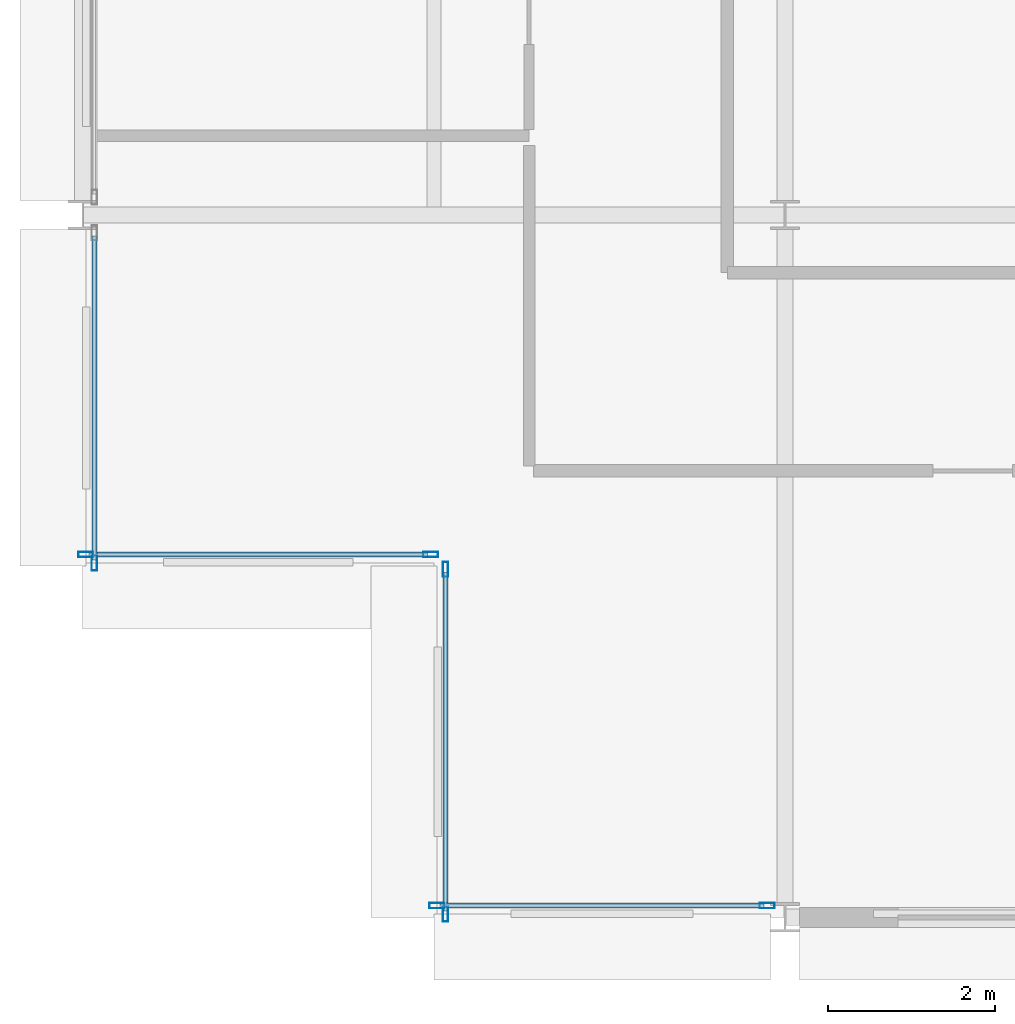
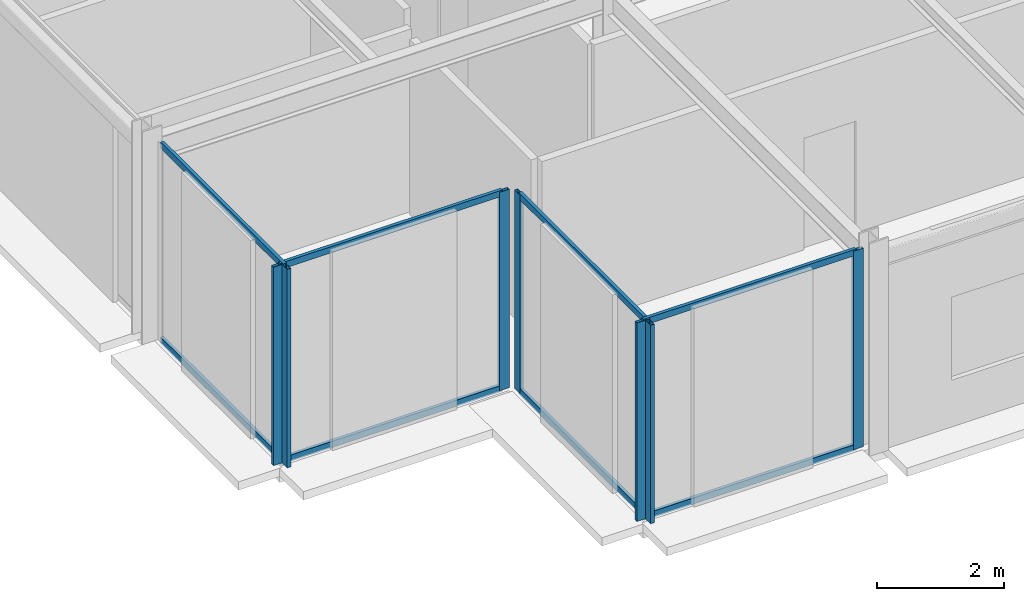
# One storey, part 2 of 26: 15 members, 4 elements without a shape of their own.
"""IFC4 building model written with IfcOpenShell, lengths in metres."""

from ifc_helpers import new_model, si_unit, direction, frame, origin, origin_2d, place, context, subcontext, project, spatial, hollow_rectangle, extrude, material, layer, layer_set, material_profile, profile_set, type_object, element, aggregate, save


model = new_model("IFC4")

# Units and contexts
model_context = context("Model", 3, precision=1e-05, world=origin(), true_north=direction((0.0, 1.0)))
body_context = subcontext(model_context, "Body", "Model", "MODEL_VIEW")
ifc_project = project(units=[si_unit("LENGTHUNIT", "METRE"), si_unit("AREAUNIT", "SQUARE_METRE"), si_unit("VOLUMEUNIT", "CUBIC_METRE"), si_unit("PLANEANGLEUNIT", "RADIAN"), si_unit("MASSUNIT", "GRAM", prefix="KILO")], contexts=[model_context])

# Site, building, storey
site_placement = place(None, origin())
site = spatial("IfcSite", under=ifc_project, at=site_placement, CompositionType="ELEMENT")
building_placement = place(site_placement, origin())
building = spatial("IfcBuilding", under=site, at=building_placement, Name="Nerrivon Quay Data Exchange", CompositionType="ELEMENT")
storey_placement = place(building_placement, frame((0.0, 0.0, 228.800048828125)))
storey = spatial("IfcBuildingStorey", under=building, at=storey_placement, Name="L54", CompositionType="ELEMENT", Elevation=228.800048828125)

# Curtain wall, members
ifc_material = material(Name="Anodised aluminium 6063-T6", Category="aluminium")
ifc_layer = layer(ifc_material, 0.195068359375)
ifc_layer_set = layer_set([ifc_layer], Name="Anodised aluminium 6063-T6")
curtain_wall_type = type_object("IfcCurtainWallType", Name="CW-SYS-06", PredefinedType="NOTDEFINED", material=ifc_layer_set)
curtain_wall_1_placement = place(storey_placement, origin())
curtain_wall_1 = element("IfcCurtainWall", 1, at=curtain_wall_1_placement, inside=storey, type_object=curtain_wall_type, Name="L54 Unitised Curtain Wall 8", PredefinedType="NOTDEFINED")
ifc_material_profile_1 = material_profile(ifc_material, hollow_rectangle(XDim=0.06494140625, YDim=0.179931640625, WallThickness=0.00341796875, at=origin_2d()), Name="ALU-MULL-180x65")
ifc_profile_set_1 = profile_set([ifc_material_profile_1], Name="Anodised aluminium 6063-T6")
member_type_1 = type_object("IfcMemberType", Name="CWM-180x65", PredefinedType="MULLION", material=ifc_profile_set_1)
member_1_placement = place(storey_placement, frame((8.1875, 0.139892578125, 0.0), z_axis=(0.0, 0.0, 1.0), x_axis=(0.0, -1.0, 0.0)))
member_1 = element("IfcMember", 2, at=member_1_placement, type_object=member_type_1, Name="CW06 mullion 1", PredefinedType="MULLION", context=body_context, shape_type="SweptSolid", body=[
    extrude(hollow_rectangle(XDim=0.06494140625, YDim=0.179931640625, WallThickness=0.00341796875, at=origin_2d()), origin(), (0.0, 0.0, 1.0), 3.824951171875),
])
member_2_placement = place(storey_placement, frame((4.237548828125, 0.139892578125, 0.0), z_axis=(0.0, 0.0, 1.0), x_axis=(0.0, -1.0, 0.0)))
member_2 = element("IfcMember", 3, at=member_2_placement, type_object=member_type_1, Name="CW06 mullion 2", PredefinedType="MULLION", context=body_context, shape_type="SweptSolid", body=[
    extrude(hollow_rectangle(XDim=0.06494140625, YDim=0.179931640625, WallThickness=0.00341796875, at=origin_2d()), origin(), (0.0, 0.0, 1.0), 3.824951171875),
])

curtain_wall_2_placement = place(storey_placement, origin())
curtain_wall_2 = element("IfcCurtainWall", 4, at=curtain_wall_2_placement, inside=storey, type_object=curtain_wall_type, Name="L54 Unitised Curtain Wall 9", PredefinedType="NOTDEFINED")
member_3_placement = place(storey_placement, frame((4.340087890625, 0.03759765625, 0.0), z_axis=(0.0, 0.0, 1.0), x_axis=(-1.0, 0.0, 0.0)))
member_3 = element("IfcMember", 5, at=member_3_placement, type_object=member_type_1, Name="CW06 mullion 1", PredefinedType="MULLION", context=body_context, shape_type="SweptSolid", body=[
    extrude(hollow_rectangle(XDim=0.06494140625, YDim=0.179931640625, WallThickness=0.00341796875, at=origin_2d()), origin(), (0.0, 0.0, 1.0), 3.824951171875),
])
member_4_placement = place(storey_placement, frame((4.340087890625, 4.16259765625, 0.0), z_axis=(0.0, 0.0, 1.0), x_axis=(-1.0, 0.0, 0.0)))
member_4 = element("IfcMember", 6, at=member_4_placement, type_object=member_type_1, Name="CW06 mullion 2", PredefinedType="MULLION", context=body_context, shape_type="SweptSolid", body=[
    extrude(hollow_rectangle(XDim=0.06494140625, YDim=0.179931640625, WallThickness=0.00341796875, at=origin_2d()), origin(), (0.0, 0.0, 1.0), 3.824951171875),
])

curtain_wall_3_placement = place(storey_placement, origin())
curtain_wall_3 = element("IfcCurtainWall", 7, at=curtain_wall_3_placement, inside=storey, type_object=curtain_wall_type, Name="L54 Unitised Curtain Wall 10", PredefinedType="NOTDEFINED")
member_5_placement = place(storey_placement, frame((4.16259765625, 4.340087890625, 0.0), z_axis=(0.0, 0.0, 1.0), x_axis=(0.0, -1.0, 0.0)))
member_5 = element("IfcMember", 8, at=member_5_placement, type_object=member_type_1, Name="CW06 mullion 1", PredefinedType="MULLION", context=body_context, shape_type="SweptSolid", body=[
    extrude(hollow_rectangle(XDim=0.06494140625, YDim=0.179931640625, WallThickness=0.00341796875, at=origin_2d()), origin(), (0.0, 0.0, 1.0), 3.824951171875),
])
member_6_placement = place(storey_placement, frame((0.03759765625, 4.340087890625, 0.0), z_axis=(0.0, 0.0, 1.0), x_axis=(0.0, -1.0, 0.0)))
member_6 = element("IfcMember", 9, at=member_6_placement, type_object=member_type_1, Name="CW06 mullion 2", PredefinedType="MULLION", context=body_context, shape_type="SweptSolid", body=[
    extrude(hollow_rectangle(XDim=0.06494140625, YDim=0.179931640625, WallThickness=0.00341796875, at=origin_2d()), origin(), (0.0, 0.0, 1.0), 3.824951171875),
])

# Curtain wall, member
curtain_wall_4_placement = place(storey_placement, origin())
curtain_wall_4 = element("IfcCurtainWall", 10, at=curtain_wall_4_placement, inside=storey, type_object=curtain_wall_type, Name="L54 Unitised Curtain Wall 11", PredefinedType="NOTDEFINED")
member_7_placement = place(storey_placement, frame((0.139892578125, 4.237548828125, 0.0), z_axis=(0.0, 0.0, 1.0), x_axis=(-1.0, 0.0, 0.0)))
member_7 = element("IfcMember", 11, at=member_7_placement, type_object=member_type_1, Name="CW06 mullion 1", PredefinedType="MULLION", context=body_context, shape_type="SweptSolid", body=[
    extrude(hollow_rectangle(XDim=0.06494140625, YDim=0.179931640625, WallThickness=0.00341796875, at=origin_2d()), origin(), (0.0, 0.0, 1.0), 3.824951171875),
])

# Member
ifc_material_profile_2 = material_profile(ifc_material, hollow_rectangle(XDim=0.06005859375, YDim=0.1201171875, WallThickness=0.003173828125, at=origin_2d()), Name="ALU-TRAN-120x60")
ifc_profile_set_2 = profile_set([ifc_material_profile_2], Name="Anodised aluminium 6063-T6")
member_type_2 = type_object("IfcMemberType", Name="CWT-120x60", PredefinedType="USERDEFINED", material=ifc_profile_set_2)
member_8_placement = place(storey_placement, frame((8.14990234375, 0.139892578125, 0.032470703125), z_axis=(-1.0, 0.0, 0.0), x_axis=(0.0, -1.0, 0.0)))
member_8 = element("IfcMember", 12, at=member_8_placement, type_object=member_type_2, Name="CW06 transom 1.1", ObjectType="TRANSOM", PredefinedType="USERDEFINED", context=body_context, shape_type="SweptSolid", body=[
    extrude(hollow_rectangle(XDim=0.06005859375, YDim=0.1201171875, WallThickness=0.003173828125, at=origin_2d()), origin(), (0.0, 0.0, 1.0), 3.875),
])

member_9_placement = place(storey_placement, frame((8.14990234375, 0.139892578125, 3.79248046875), z_axis=(-1.0, 0.0, 0.0), x_axis=(0.0, -1.0, 0.0)))
member_9 = element("IfcMember", 13, at=member_9_placement, type_object=member_type_2, Name="CW06 transom 1.2", ObjectType="TRANSOM", PredefinedType="USERDEFINED", context=body_context, shape_type="SweptSolid", body=[
    extrude(hollow_rectangle(XDim=0.06005859375, YDim=0.1201171875, WallThickness=0.003173828125, at=origin_2d()), origin(), (0.0, 0.0, 1.0), 3.875),
])

aggregate(curtain_wall_1, [member_1, member_2, member_8, member_9])

member_10_placement = place(storey_placement, frame((4.340087890625, 0.074951171875, 0.032470703125), z_axis=(0.0, 1.0, 0.0), x_axis=(-1.0, 0.0, 0.0)))
member_10 = element("IfcMember", 14, at=member_10_placement, type_object=member_type_2, Name="CW06 transom 1.1", ObjectType="TRANSOM", PredefinedType="USERDEFINED", context=body_context, shape_type="SweptSolid", body=[
    extrude(hollow_rectangle(XDim=0.06005859375, YDim=0.1201171875, WallThickness=0.003173828125, at=origin_2d()), origin(), (0.0, 0.0, 1.0), 4.050048828125),
])

member_11_placement = place(storey_placement, frame((4.340087890625, 0.074951171875, 3.79248046875), z_axis=(0.0, 1.0, 0.0), x_axis=(-1.0, 0.0, 0.0)))
member_11 = element("IfcMember", 15, at=member_11_placement, type_object=member_type_2, Name="CW06 transom 1.2", ObjectType="TRANSOM", PredefinedType="USERDEFINED", context=body_context, shape_type="SweptSolid", body=[
    extrude(hollow_rectangle(XDim=0.06005859375, YDim=0.1201171875, WallThickness=0.003173828125, at=origin_2d()), origin(), (0.0, 0.0, 1.0), 4.050048828125),
])

aggregate(curtain_wall_2, [member_3, member_4, member_10, member_11])

member_12_placement = place(storey_placement, frame((4.125, 4.340087890625, 0.032470703125), z_axis=(-1.0, 0.0, 0.0), x_axis=(0.0, -1.0, 0.0)))
member_12 = element("IfcMember", 16, at=member_12_placement, type_object=member_type_2, Name="CW06 transom 1.1", ObjectType="TRANSOM", PredefinedType="USERDEFINED", context=body_context, shape_type="SweptSolid", body=[
    extrude(hollow_rectangle(XDim=0.06005859375, YDim=0.1201171875, WallThickness=0.003173828125, at=origin_2d()), origin(), (0.0, 0.0, 1.0), 4.050048828125),
])

member_13_placement = place(storey_placement, frame((4.125, 4.340087890625, 3.79248046875), z_axis=(-1.0, 0.0, 0.0), x_axis=(0.0, -1.0, 0.0)))
member_13 = element("IfcMember", 17, at=member_13_placement, type_object=member_type_2, Name="CW06 transom 1.2", ObjectType="TRANSOM", PredefinedType="USERDEFINED", context=body_context, shape_type="SweptSolid", body=[
    extrude(hollow_rectangle(XDim=0.06005859375, YDim=0.1201171875, WallThickness=0.003173828125, at=origin_2d()), origin(), (0.0, 0.0, 1.0), 4.050048828125),
])

aggregate(curtain_wall_3, [member_5, member_6, member_12, member_13])

member_14_placement = place(storey_placement, frame((0.139892578125, 4.27490234375, 0.032470703125), z_axis=(0.0, 1.0, 0.0), x_axis=(-1.0, 0.0, 0.0)))
member_14 = element("IfcMember", 18, at=member_14_placement, type_object=member_type_2, Name="CW06 transom 1.1", ObjectType="TRANSOM", PredefinedType="USERDEFINED", context=body_context, shape_type="SweptSolid", body=[
    extrude(hollow_rectangle(XDim=0.06005859375, YDim=0.1201171875, WallThickness=0.003173828125, at=origin_2d()), origin(), (0.0, 0.0, 1.0), 3.875),
])

member_15_placement = place(storey_placement, frame((0.139892578125, 4.27490234375, 3.79248046875), z_axis=(0.0, 1.0, 0.0), x_axis=(-1.0, 0.0, 0.0)))
member_15 = element("IfcMember", 19, at=member_15_placement, type_object=member_type_2, Name="CW06 transom 1.2", ObjectType="TRANSOM", PredefinedType="USERDEFINED", context=body_context, shape_type="SweptSolid", body=[
    extrude(hollow_rectangle(XDim=0.06005859375, YDim=0.1201171875, WallThickness=0.003173828125, at=origin_2d()), origin(), (0.0, 0.0, 1.0), 3.875),
])

aggregate(curtain_wall_4, [member_7, member_14, member_15])

save(model, "model.ifc")
